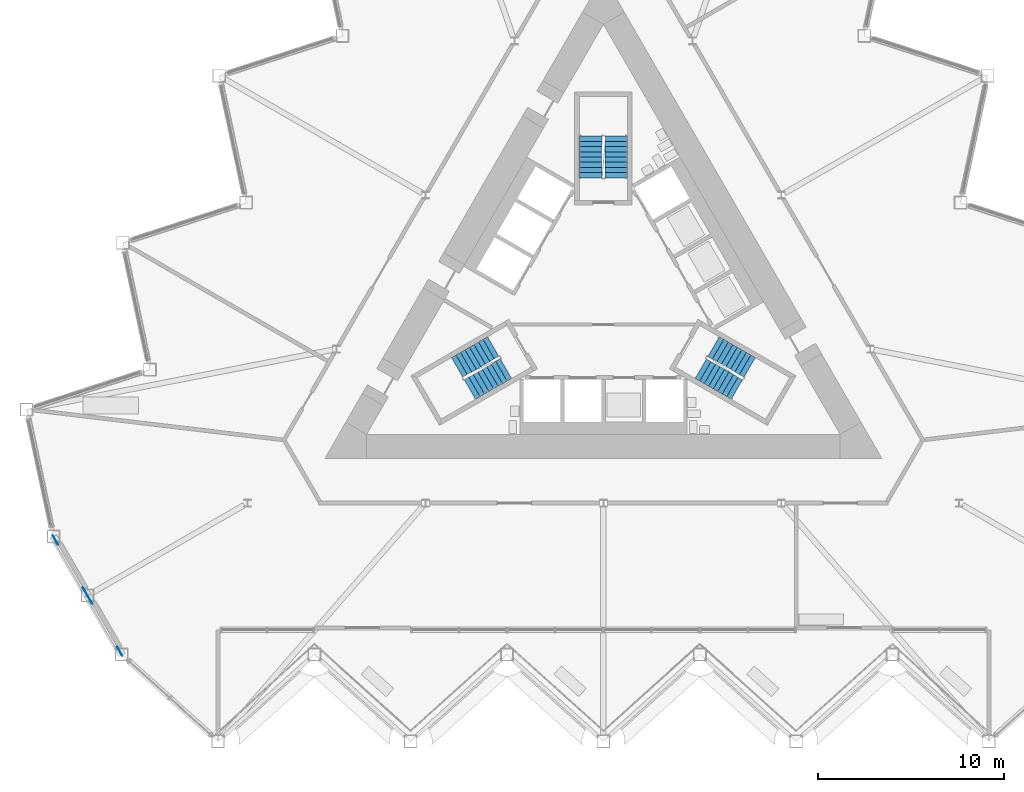
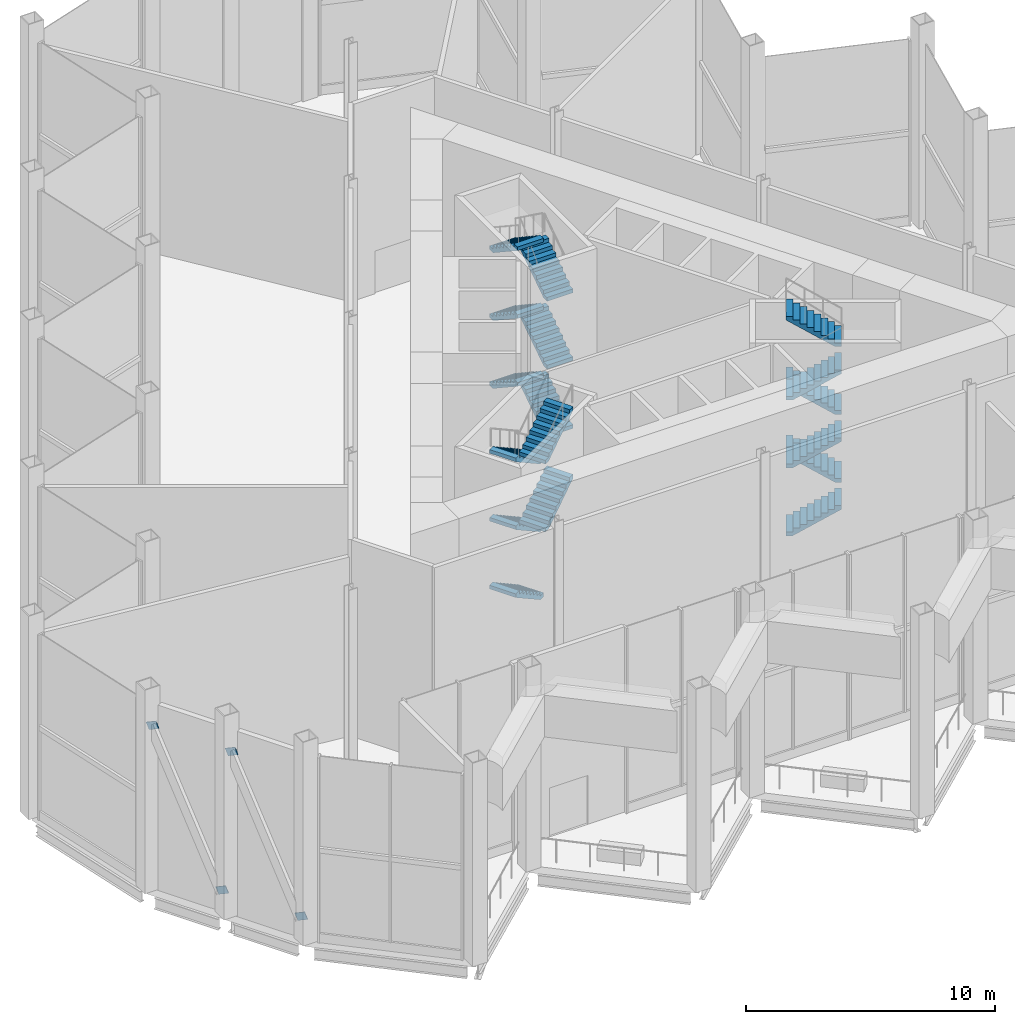
# One storey, part 11 of 17: 17 stair flights, 4 discrete accessories, 3 elements without a shape of their own.
"""IFC4 building model written with IfcOpenShell, lengths in metres."""

from ifc_helpers import new_model, si_unit, direction, frame, origin, origin_2d, place, context, subcontext, project, spatial, polyline, rectangle, outline, extrude, material, material_profile, profile_set, type_object, element, aggregate, save


model = new_model("IFC4")

# Units and contexts
model_context = context("Model", 3, precision=1e-05, world=origin(), true_north=direction((0.0, 1.0)))
body_context = subcontext(model_context, "Body", "Model", "MODEL_VIEW")
ifc_project = project(units=[si_unit("LENGTHUNIT", "METRE"), si_unit("AREAUNIT", "SQUARE_METRE"), si_unit("VOLUMEUNIT", "CUBIC_METRE"), si_unit("PLANEANGLEUNIT", "RADIAN"), si_unit("MASSUNIT", "GRAM", prefix="KILO")], contexts=[model_context])

# Site, building, storey
site_placement = place(None, origin())
site = spatial("IfcSite", under=ifc_project, at=site_placement, CompositionType="ELEMENT")
building_placement = place(site_placement, origin())
building = spatial("IfcBuilding", under=site, at=building_placement, Name="Cormorant Prow Tower", CompositionType="ELEMENT")
storey_placement = place(building_placement, frame((0.0, 0.0, 277.800048828125)))
storey = spatial("IfcBuildingStorey", under=building, at=storey_placement, Name="L63", CompositionType="ELEMENT", Elevation=277.800048828125)

# Stair, stair flights
ifc_material_1 = material(Name="Exit stair 54 risers")
stair_type = type_object("IfcStairType", Name="Exit stair 54 risers", PredefinedType="HALF_TURN_STAIR", material=ifc_material_1)
stair_1_placement = place(storey_placement, origin())
stair_1 = element("IfcStair", 1, at=stair_1_placement, inside=storey, type_object=stair_type, Name="L63 Exit stair ST1", PredefinedType="HALF_TURN_STAIR")
ifc_material_2 = material(Name="Concrete 5000 psi", Category="concrete")
stair_flight_type = type_object("IfcStairFlightType", Name="Stair flight 1219", PredefinedType="STRAIGHT", material=ifc_material_2)
stair_flight_1_placement = place(storey_placement, frame((-5.93310546875, -2.635009765625, 0.0), z_axis=(0.0, 0.0, 1.0), x_axis=(-0.866025403784, -0.5, 0.0)))
stair_flight_1 = element("IfcStairFlight", 2, at=stair_flight_1_placement, type_object=stair_flight_type, Name="ST1 flight 1", NumberOfRisers=9, NumberOfTreads=8, PredefinedType="STRAIGHT", RiserHeight=0.185185185, TreadLength=0.28, context=body_context, shape_type="SweptSolid", body=[
    extrude(outline(polyline([(0.0, 0.0), (0.0, 0.185302734375), (0.280029296875, 0.185302734375), (0.280029296875, 0.370361328125), (0.56005859375, 0.370361328125), (0.56005859375, 0.5556640625), (0.840087890625, 0.5556640625), (0.840087890625, 0.74072265625), (1.1201171875, 0.74072265625), (1.1201171875, 0.926025390625), (1.39990234375, 0.926025390625), (1.39990234375, 1.111083984375), (1.679931640625, 1.111083984375), (1.679931640625, 1.29638671875), (1.9599609375, 1.29638671875), (1.9599609375, 1.4814453125), (2.239990234375, 1.4814453125), (2.239990234375, 1.666748046875), (2.239990234375, 1.3017578125), (0.271728515625, 0.0), (0.0, 0.0)])), frame((0.0, 0.609375, 0.0), z_axis=(0.0, -1.0, 0.0), x_axis=(1.0, 0.0, 0.0)), (0.0, 0.0, 1.0), 1.218994140625),
])
stair_flight_2_placement = place(storey_placement, frame((-5.93310546875, -2.635009765625, 3.333251953125), z_axis=(0.0, 0.0, 1.0), x_axis=(-0.866025403784, -0.5, 0.0)))
stair_flight_2 = element("IfcStairFlight", 3, at=stair_flight_2_placement, type_object=stair_flight_type, Name="ST1 flight 3", NumberOfRisers=9, NumberOfTreads=8, PredefinedType="STRAIGHT", RiserHeight=0.185185185, TreadLength=0.28, context=body_context, shape_type="SweptSolid", body=[
    extrude(outline(polyline([(0.0, 0.0), (0.0, 0.185302734375), (0.280029296875, 0.185302734375), (0.280029296875, 0.370361328125), (0.56005859375, 0.370361328125), (0.56005859375, 0.5556640625), (0.840087890625, 0.5556640625), (0.840087890625, 0.74072265625), (1.1201171875, 0.74072265625), (1.1201171875, 0.926025390625), (1.39990234375, 0.926025390625), (1.39990234375, 1.111083984375), (1.679931640625, 1.111083984375), (1.679931640625, 1.29638671875), (1.9599609375, 1.29638671875), (1.9599609375, 1.4814453125), (2.239990234375, 1.4814453125), (2.239990234375, 1.666748046875), (2.239990234375, 1.3017578125), (0.271728515625, 0.0), (0.0, 0.0)])), frame((0.0, 0.609375, 0.0), z_axis=(0.0, -1.0, 0.0), x_axis=(1.0, 0.0, 0.0)), (0.0, 0.0, 1.0), 1.218994140625),
])
stair_flight_3_placement = place(storey_placement, frame((-7.1884765625, -4.940673828125, 5.0), z_axis=(0.0, 0.0, 1.0), x_axis=(0.866025403784, 0.5, 0.0)))
stair_flight_3 = element("IfcStairFlight", 4, at=stair_flight_3_placement, type_object=stair_flight_type, Name="ST1 flight 4", NumberOfRisers=9, NumberOfTreads=8, PredefinedType="STRAIGHT", RiserHeight=0.185185185, TreadLength=0.28, context=body_context, shape_type="SweptSolid", body=[
    extrude(outline(polyline([(0.0, 0.0), (0.0, 0.185302734375), (0.280029296875, 0.185302734375), (0.280029296875, 0.370361328125), (0.56005859375, 0.370361328125), (0.56005859375, 0.5556640625), (0.840087890625, 0.5556640625), (0.840087890625, 0.74072265625), (1.1201171875, 0.74072265625), (1.1201171875, 0.926025390625), (1.39990234375, 0.926025390625), (1.39990234375, 1.111083984375), (1.679931640625, 1.111083984375), (1.679931640625, 1.29638671875), (1.9599609375, 1.29638671875), (1.9599609375, 1.4814453125), (2.239990234375, 1.4814453125), (2.239990234375, 1.666748046875), (2.239990234375, 1.3017578125), (0.271728515625, 0.0), (0.0, 0.0)])), frame((0.0, 0.609375, 0.0), z_axis=(0.0, -1.0, 0.0), x_axis=(1.0, 0.0, 0.0)), (0.0, 0.0, 1.0), 1.218994140625),
])
stair_flight_4_placement = place(storey_placement, frame((-5.93310546875, -2.635009765625, 6.66650390625), z_axis=(0.0, 0.0, 1.0), x_axis=(-0.866025403784, -0.5, 0.0)))
stair_flight_4 = element("IfcStairFlight", 5, at=stair_flight_4_placement, type_object=stair_flight_type, Name="ST1 flight 5", NumberOfRisers=9, NumberOfTreads=8, PredefinedType="STRAIGHT", RiserHeight=0.185185185, TreadLength=0.28, context=body_context, shape_type="SweptSolid", body=[
    extrude(outline(polyline([(0.0, 0.0), (0.0, 0.185302734375), (0.280029296875, 0.185302734375), (0.280029296875, 0.370361328125), (0.56005859375, 0.370361328125), (0.56005859375, 0.5556640625), (0.840087890625, 0.5556640625), (0.840087890625, 0.74072265625), (1.1201171875, 0.74072265625), (1.1201171875, 0.926025390625), (1.39990234375, 0.926025390625), (1.39990234375, 1.111083984375), (1.679931640625, 1.111083984375), (1.679931640625, 1.29638671875), (1.9599609375, 1.29638671875), (1.9599609375, 1.4814453125), (2.239990234375, 1.4814453125), (2.239990234375, 1.666748046875), (2.239990234375, 1.3017578125), (0.271728515625, 0.0), (0.0, 0.0)])), frame((0.0, 0.609375, 0.0), z_axis=(0.0, -1.0, 0.0), x_axis=(1.0, 0.0, 0.0)), (0.0, 0.0, 1.0), 1.218994140625),
])
stair_flight_5_placement = place(storey_placement, frame((-7.1884765625, -4.940673828125, 8.333251953125), z_axis=(0.0, 0.0, 1.0), x_axis=(0.866025403784, 0.5, 0.0)))
stair_flight_5 = element("IfcStairFlight", 6, at=stair_flight_5_placement, type_object=stair_flight_type, Name="ST1 flight 6", NumberOfRisers=9, NumberOfTreads=8, PredefinedType="STRAIGHT", RiserHeight=0.185185185, TreadLength=0.28, context=body_context, shape_type="SweptSolid", body=[
    extrude(outline(polyline([(0.0, 0.0), (0.0, 0.185302734375), (0.280029296875, 0.185302734375), (0.280029296875, 0.370361328125), (0.56005859375, 0.370361328125), (0.56005859375, 0.5556640625), (0.840087890625, 0.5556640625), (0.840087890625, 0.74072265625), (1.1201171875, 0.74072265625), (1.1201171875, 0.926025390625), (1.39990234375, 0.926025390625), (1.39990234375, 1.111083984375), (1.679931640625, 1.111083984375), (1.679931640625, 1.29638671875), (1.9599609375, 1.29638671875), (1.9599609375, 1.4814453125), (2.239990234375, 1.4814453125), (2.239990234375, 1.666748046875), (2.239990234375, 1.3017578125), (0.271728515625, 0.0), (0.0, 0.0)])), frame((0.0, 0.609375, 0.0), z_axis=(0.0, -1.0, 0.0), x_axis=(1.0, 0.0, 0.0)), (0.0, 0.0, 1.0), 1.218994140625),
])
aggregate(stair_1, [stair_flight_1, stair_flight_2, stair_flight_3, stair_flight_4, stair_flight_5])

stair_2_placement = place(storey_placement, origin())
stair_2 = element("IfcStair", 7, at=stair_2_placement, inside=storey, type_object=stair_type, Name="L63 Exit stair ST2", PredefinedType="HALF_TURN_STAIR")
stair_flight_6_placement = place(storey_placement, frame((5.24853515625, -3.82080078125, 0.0), z_axis=(0.0, 0.0, 1.0), x_axis=(0.866025403784, -0.5, 0.0)))
stair_flight_6 = element("IfcStairFlight", 8, at=stair_flight_6_placement, type_object=stair_flight_type, Name="ST2 flight 1", NumberOfRisers=9, NumberOfTreads=8, PredefinedType="STRAIGHT", RiserHeight=0.185185185, TreadLength=0.28, context=body_context, shape_type="SweptSolid", body=[
    extrude(outline(polyline([(0.0, 0.0), (0.0, 0.185302734375), (0.280029296875, 0.185302734375), (0.280029296875, 0.370361328125), (0.56005859375, 0.370361328125), (0.56005859375, 0.5556640625), (0.840087890625, 0.5556640625), (0.840087890625, 0.74072265625), (1.1201171875, 0.74072265625), (1.1201171875, 0.926025390625), (1.39990234375, 0.926025390625), (1.39990234375, 1.111083984375), (1.679931640625, 1.111083984375), (1.679931640625, 1.29638671875), (1.9599609375, 1.29638671875), (1.9599609375, 1.4814453125), (2.239990234375, 1.4814453125), (2.239990234375, 1.666748046875), (2.239990234375, 1.3017578125), (0.271728515625, 0.0), (0.0, 0.0)])), frame((0.0, 0.609375, 0.0), z_axis=(0.0, -1.0, 0.0), x_axis=(1.0, 0.0, 0.0)), (0.0, 0.0, 1.0), 1.218994140625),
])
stair_flight_7_placement = place(storey_placement, frame((7.873046875, -3.755126953125, 1.66650390625), z_axis=(0.0, 0.0, 1.0), x_axis=(-0.866025403784, 0.5, 0.0)))
stair_flight_7 = element("IfcStairFlight", 9, at=stair_flight_7_placement, type_object=stair_flight_type, Name="ST2 flight 2", NumberOfRisers=9, NumberOfTreads=8, PredefinedType="STRAIGHT", RiserHeight=0.185185185, TreadLength=0.28, context=body_context, shape_type="SweptSolid", body=[
    extrude(outline(polyline([(0.0, 0.0), (0.0, 0.185302734375), (0.280029296875, 0.185302734375), (0.280029296875, 0.370361328125), (0.56005859375, 0.370361328125), (0.56005859375, 0.5556640625), (0.840087890625, 0.5556640625), (0.840087890625, 0.74072265625), (1.1201171875, 0.74072265625), (1.1201171875, 0.926025390625), (1.39990234375, 0.926025390625), (1.39990234375, 1.111083984375), (1.679931640625, 1.111083984375), (1.679931640625, 1.29638671875), (1.9599609375, 1.29638671875), (1.9599609375, 1.4814453125), (2.239990234375, 1.4814453125), (2.239990234375, 1.666748046875), (2.239990234375, 1.3017578125), (0.271728515625, 0.0), (0.0, 0.0)])), frame((0.0, 0.609375, 0.0), z_axis=(0.0, -1.0, 0.0), x_axis=(1.0, 0.0, 0.0)), (0.0, 0.0, 1.0), 1.218994140625),
])
stair_flight_8_placement = place(storey_placement, frame((5.24853515625, -3.82080078125, 3.333251953125), z_axis=(0.0, 0.0, 1.0), x_axis=(0.866025403784, -0.5, 0.0)))
stair_flight_8 = element("IfcStairFlight", 10, at=stair_flight_8_placement, type_object=stair_flight_type, Name="ST2 flight 3", NumberOfRisers=9, NumberOfTreads=8, PredefinedType="STRAIGHT", RiserHeight=0.185185185, TreadLength=0.28, context=body_context, shape_type="SweptSolid", body=[
    extrude(outline(polyline([(0.0, 0.0), (0.0, 0.185302734375), (0.280029296875, 0.185302734375), (0.280029296875, 0.370361328125), (0.56005859375, 0.370361328125), (0.56005859375, 0.5556640625), (0.840087890625, 0.5556640625), (0.840087890625, 0.74072265625), (1.1201171875, 0.74072265625), (1.1201171875, 0.926025390625), (1.39990234375, 0.926025390625), (1.39990234375, 1.111083984375), (1.679931640625, 1.111083984375), (1.679931640625, 1.29638671875), (1.9599609375, 1.29638671875), (1.9599609375, 1.4814453125), (2.239990234375, 1.4814453125), (2.239990234375, 1.666748046875), (2.239990234375, 1.3017578125), (0.271728515625, 0.0), (0.0, 0.0)])), frame((0.0, 0.609375, 0.0), z_axis=(0.0, -1.0, 0.0), x_axis=(1.0, 0.0, 0.0)), (0.0, 0.0, 1.0), 1.218994140625),
])
stair_flight_9_placement = place(storey_placement, frame((7.873046875, -3.755126953125, 5.0), z_axis=(0.0, 0.0, 1.0), x_axis=(-0.866025403784, 0.5, 0.0)))
stair_flight_9 = element("IfcStairFlight", 11, at=stair_flight_9_placement, type_object=stair_flight_type, Name="ST2 flight 4", NumberOfRisers=9, NumberOfTreads=8, PredefinedType="STRAIGHT", RiserHeight=0.185185185, TreadLength=0.28, context=body_context, shape_type="SweptSolid", body=[
    extrude(outline(polyline([(0.0, 0.0), (0.0, 0.185302734375), (0.280029296875, 0.185302734375), (0.280029296875, 0.370361328125), (0.56005859375, 0.370361328125), (0.56005859375, 0.5556640625), (0.840087890625, 0.5556640625), (0.840087890625, 0.74072265625), (1.1201171875, 0.74072265625), (1.1201171875, 0.926025390625), (1.39990234375, 0.926025390625), (1.39990234375, 1.111083984375), (1.679931640625, 1.111083984375), (1.679931640625, 1.29638671875), (1.9599609375, 1.29638671875), (1.9599609375, 1.4814453125), (2.239990234375, 1.4814453125), (2.239990234375, 1.666748046875), (2.239990234375, 1.3017578125), (0.271728515625, 0.0), (0.0, 0.0)])), frame((0.0, 0.609375, 0.0), z_axis=(0.0, -1.0, 0.0), x_axis=(1.0, 0.0, 0.0)), (0.0, 0.0, 1.0), 1.218994140625),
])
stair_flight_10_placement = place(storey_placement, frame((5.24853515625, -3.82080078125, 6.66650390625), z_axis=(0.0, 0.0, 1.0), x_axis=(0.866025403784, -0.5, 0.0)))
stair_flight_10 = element("IfcStairFlight", 12, at=stair_flight_10_placement, type_object=stair_flight_type, Name="ST2 flight 5", NumberOfRisers=9, NumberOfTreads=8, PredefinedType="STRAIGHT", RiserHeight=0.185185185, TreadLength=0.28, context=body_context, shape_type="SweptSolid", body=[
    extrude(outline(polyline([(0.0, 0.0), (0.0, 0.185302734375), (0.280029296875, 0.185302734375), (0.280029296875, 0.370361328125), (0.56005859375, 0.370361328125), (0.56005859375, 0.5556640625), (0.840087890625, 0.5556640625), (0.840087890625, 0.74072265625), (1.1201171875, 0.74072265625), (1.1201171875, 0.926025390625), (1.39990234375, 0.926025390625), (1.39990234375, 1.111083984375), (1.679931640625, 1.111083984375), (1.679931640625, 1.29638671875), (1.9599609375, 1.29638671875), (1.9599609375, 1.4814453125), (2.239990234375, 1.4814453125), (2.239990234375, 1.666748046875), (2.239990234375, 1.3017578125), (0.271728515625, 0.0), (0.0, 0.0)])), frame((0.0, 0.609375, 0.0), z_axis=(0.0, -1.0, 0.0), x_axis=(1.0, 0.0, 0.0)), (0.0, 0.0, 1.0), 1.218994140625),
])
stair_flight_11_placement = place(storey_placement, frame((7.873046875, -3.755126953125, 8.333251953125), z_axis=(0.0, 0.0, 1.0), x_axis=(-0.866025403784, 0.5, 0.0)))
stair_flight_11 = element("IfcStairFlight", 13, at=stair_flight_11_placement, type_object=stair_flight_type, Name="ST2 flight 6", NumberOfRisers=9, NumberOfTreads=8, PredefinedType="STRAIGHT", RiserHeight=0.185185185, TreadLength=0.28, context=body_context, shape_type="SweptSolid", body=[
    extrude(outline(polyline([(0.0, 0.0), (0.0, 0.185302734375), (0.280029296875, 0.185302734375), (0.280029296875, 0.370361328125), (0.56005859375, 0.370361328125), (0.56005859375, 0.5556640625), (0.840087890625, 0.5556640625), (0.840087890625, 0.74072265625), (1.1201171875, 0.74072265625), (1.1201171875, 0.926025390625), (1.39990234375, 0.926025390625), (1.39990234375, 1.111083984375), (1.679931640625, 1.111083984375), (1.679931640625, 1.29638671875), (1.9599609375, 1.29638671875), (1.9599609375, 1.4814453125), (2.239990234375, 1.4814453125), (2.239990234375, 1.666748046875), (2.239990234375, 1.3017578125), (0.271728515625, 0.0), (0.0, 0.0)])), frame((0.0, 0.609375, 0.0), z_axis=(0.0, -1.0, 0.0), x_axis=(1.0, 0.0, 0.0)), (0.0, 0.0, 1.0), 1.218994140625),
])
aggregate(stair_2, [stair_flight_6, stair_flight_7, stair_flight_8, stair_flight_9, stair_flight_10, stair_flight_11])

stair_3_placement = place(storey_placement, origin())
stair_3 = element("IfcStair", 14, at=stair_3_placement, inside=storey, type_object=stair_type, Name="L63 Exit stair ST3", PredefinedType="HALF_TURN_STAIR")
stair_flight_12_placement = place(storey_placement, frame((0.6845703125, 6.455810546875, 0.0), z_axis=(0.0, 0.0, 1.0), x_axis=(0.0, 1.0, 0.0)))
stair_flight_12 = element("IfcStairFlight", 15, at=stair_flight_12_placement, type_object=stair_flight_type, Name="ST3 flight 1", NumberOfRisers=9, NumberOfTreads=8, PredefinedType="STRAIGHT", RiserHeight=0.185185185, TreadLength=0.28, context=body_context, shape_type="SweptSolid", body=[
    extrude(outline(polyline([(0.0, 0.0), (0.0, 0.185302734375), (0.280029296875, 0.185302734375), (0.280029296875, 0.370361328125), (0.56005859375, 0.370361328125), (0.56005859375, 0.5556640625), (0.840087890625, 0.5556640625), (0.840087890625, 0.74072265625), (1.1201171875, 0.74072265625), (1.1201171875, 0.926025390625), (1.39990234375, 0.926025390625), (1.39990234375, 1.111083984375), (1.679931640625, 1.111083984375), (1.679931640625, 1.29638671875), (1.9599609375, 1.29638671875), (1.9599609375, 1.4814453125), (2.239990234375, 1.4814453125), (2.239990234375, 1.666748046875), (2.239990234375, 1.3017578125), (0.271728515625, 0.0), (0.0, 0.0)])), frame((0.0, 0.609375, 0.0), z_axis=(0.0, -1.0, 0.0), x_axis=(1.0, 0.0, 0.0)), (0.0, 0.0, 1.0), 1.218994140625),
])
stair_flight_13_placement = place(storey_placement, frame((-0.6845703125, 8.69580078125, 1.66650390625), z_axis=(0.0, 0.0, 1.0), x_axis=(0.0, -1.0, 0.0)))
stair_flight_13 = element("IfcStairFlight", 16, at=stair_flight_13_placement, type_object=stair_flight_type, Name="ST3 flight 2", NumberOfRisers=9, NumberOfTreads=8, PredefinedType="STRAIGHT", RiserHeight=0.185185185, TreadLength=0.28, context=body_context, shape_type="SweptSolid", body=[
    extrude(outline(polyline([(0.0, 0.0), (0.0, 0.185302734375), (0.280029296875, 0.185302734375), (0.280029296875, 0.370361328125), (0.56005859375, 0.370361328125), (0.56005859375, 0.5556640625), (0.840087890625, 0.5556640625), (0.840087890625, 0.74072265625), (1.1201171875, 0.74072265625), (1.1201171875, 0.926025390625), (1.39990234375, 0.926025390625), (1.39990234375, 1.111083984375), (1.679931640625, 1.111083984375), (1.679931640625, 1.29638671875), (1.9599609375, 1.29638671875), (1.9599609375, 1.4814453125), (2.239990234375, 1.4814453125), (2.239990234375, 1.666748046875), (2.239990234375, 1.3017578125), (0.271728515625, 0.0), (0.0, 0.0)])), frame((0.0, 0.609375, 0.0), z_axis=(0.0, -1.0, 0.0), x_axis=(1.0, 0.0, 0.0)), (0.0, 0.0, 1.0), 1.218994140625),
])
stair_flight_14_placement = place(storey_placement, frame((0.6845703125, 6.455810546875, 3.333251953125), z_axis=(0.0, 0.0, 1.0), x_axis=(0.0, 1.0, 0.0)))
stair_flight_14 = element("IfcStairFlight", 17, at=stair_flight_14_placement, type_object=stair_flight_type, Name="ST3 flight 3", NumberOfRisers=9, NumberOfTreads=8, PredefinedType="STRAIGHT", RiserHeight=0.185185185, TreadLength=0.28, context=body_context, shape_type="SweptSolid", body=[
    extrude(outline(polyline([(0.0, 0.0), (0.0, 0.185302734375), (0.280029296875, 0.185302734375), (0.280029296875, 0.370361328125), (0.56005859375, 0.370361328125), (0.56005859375, 0.5556640625), (0.840087890625, 0.5556640625), (0.840087890625, 0.74072265625), (1.1201171875, 0.74072265625), (1.1201171875, 0.926025390625), (1.39990234375, 0.926025390625), (1.39990234375, 1.111083984375), (1.679931640625, 1.111083984375), (1.679931640625, 1.29638671875), (1.9599609375, 1.29638671875), (1.9599609375, 1.4814453125), (2.239990234375, 1.4814453125), (2.239990234375, 1.666748046875), (2.239990234375, 1.3017578125), (0.271728515625, 0.0), (0.0, 0.0)])), frame((0.0, 0.609375, 0.0), z_axis=(0.0, -1.0, 0.0), x_axis=(1.0, 0.0, 0.0)), (0.0, 0.0, 1.0), 1.218994140625),
])
stair_flight_15_placement = place(storey_placement, frame((-0.6845703125, 8.69580078125, 5.0), z_axis=(0.0, 0.0, 1.0), x_axis=(0.0, -1.0, 0.0)))
stair_flight_15 = element("IfcStairFlight", 18, at=stair_flight_15_placement, type_object=stair_flight_type, Name="ST3 flight 4", NumberOfRisers=9, NumberOfTreads=8, PredefinedType="STRAIGHT", RiserHeight=0.185185185, TreadLength=0.28, context=body_context, shape_type="SweptSolid", body=[
    extrude(outline(polyline([(0.0, 0.0), (0.0, 0.185302734375), (0.280029296875, 0.185302734375), (0.280029296875, 0.370361328125), (0.56005859375, 0.370361328125), (0.56005859375, 0.5556640625), (0.840087890625, 0.5556640625), (0.840087890625, 0.74072265625), (1.1201171875, 0.74072265625), (1.1201171875, 0.926025390625), (1.39990234375, 0.926025390625), (1.39990234375, 1.111083984375), (1.679931640625, 1.111083984375), (1.679931640625, 1.29638671875), (1.9599609375, 1.29638671875), (1.9599609375, 1.4814453125), (2.239990234375, 1.4814453125), (2.239990234375, 1.666748046875), (2.239990234375, 1.3017578125), (0.271728515625, 0.0), (0.0, 0.0)])), frame((0.0, 0.609375, 0.0), z_axis=(0.0, -1.0, 0.0), x_axis=(1.0, 0.0, 0.0)), (0.0, 0.0, 1.0), 1.218994140625),
])
stair_flight_16_placement = place(storey_placement, frame((0.6845703125, 6.455810546875, 6.66650390625), z_axis=(0.0, 0.0, 1.0), x_axis=(0.0, 1.0, 0.0)))
stair_flight_16 = element("IfcStairFlight", 19, at=stair_flight_16_placement, type_object=stair_flight_type, Name="ST3 flight 5", NumberOfRisers=9, NumberOfTreads=8, PredefinedType="STRAIGHT", RiserHeight=0.185185185, TreadLength=0.28, context=body_context, shape_type="SweptSolid", body=[
    extrude(outline(polyline([(0.0, 0.0), (0.0, 0.185302734375), (0.280029296875, 0.185302734375), (0.280029296875, 0.370361328125), (0.56005859375, 0.370361328125), (0.56005859375, 0.5556640625), (0.840087890625, 0.5556640625), (0.840087890625, 0.74072265625), (1.1201171875, 0.74072265625), (1.1201171875, 0.926025390625), (1.39990234375, 0.926025390625), (1.39990234375, 1.111083984375), (1.679931640625, 1.111083984375), (1.679931640625, 1.29638671875), (1.9599609375, 1.29638671875), (1.9599609375, 1.4814453125), (2.239990234375, 1.4814453125), (2.239990234375, 1.666748046875), (2.239990234375, 1.3017578125), (0.271728515625, 0.0), (0.0, 0.0)])), frame((0.0, 0.609375, 0.0), z_axis=(0.0, -1.0, 0.0), x_axis=(1.0, 0.0, 0.0)), (0.0, 0.0, 1.0), 1.218994140625),
])
stair_flight_17_placement = place(storey_placement, frame((-0.6845703125, 8.69580078125, 8.333251953125), z_axis=(0.0, 0.0, 1.0), x_axis=(0.0, -1.0, 0.0)))
stair_flight_17 = element("IfcStairFlight", 20, at=stair_flight_17_placement, type_object=stair_flight_type, Name="ST3 flight 6", NumberOfRisers=9, NumberOfTreads=8, PredefinedType="STRAIGHT", RiserHeight=0.185185185, TreadLength=0.28, context=body_context, shape_type="SweptSolid", body=[
    extrude(outline(polyline([(0.0, 0.0), (0.0, 0.185302734375), (0.280029296875, 0.185302734375), (0.280029296875, 0.370361328125), (0.56005859375, 0.370361328125), (0.56005859375, 0.5556640625), (0.840087890625, 0.5556640625), (0.840087890625, 0.74072265625), (1.1201171875, 0.74072265625), (1.1201171875, 0.926025390625), (1.39990234375, 0.926025390625), (1.39990234375, 1.111083984375), (1.679931640625, 1.111083984375), (1.679931640625, 1.29638671875), (1.9599609375, 1.29638671875), (1.9599609375, 1.4814453125), (2.239990234375, 1.4814453125), (2.239990234375, 1.666748046875), (2.239990234375, 1.3017578125), (0.271728515625, 0.0), (0.0, 0.0)])), frame((0.0, 0.609375, 0.0), z_axis=(0.0, -1.0, 0.0), x_axis=(1.0, 0.0, 0.0)), (0.0, 0.0, 1.0), 1.218994140625),
])
aggregate(stair_3, [stair_flight_12, stair_flight_13, stair_flight_14, stair_flight_15, stair_flight_16, stair_flight_17])

# Discrete accessories
ifc_material_3 = material(Name="Structural steel ASTM A500 Gr C", Category="steel")
ifc_material_profile = material_profile(ifc_material_3, rectangle(XDim=0.031982421875, YDim=0.506103515625, at=origin_2d()), Name="Gusset plate 32x506")
ifc_profile_set = profile_set([ifc_material_profile], Name="Structural steel ASTM A500 Gr C")
discrete_accessory_type = type_object("IfcDiscreteAccessoryType", Name="Gusset plate 32x506", PredefinedType="BRACKET", material=ifc_profile_set)
for number, where, z_axis, x_axis, name in (
    (21, (-27.9228515625, -15.783203125, 1.230224609375), (0.21068287928, -0.364858098886, -0.906913056503), (0.865992557167, 0.500056887695, 0.0), "Gusset plate GP2 L63.WSW00.g0"),
    (22, (-29.46533203125, -13.111572265625, 7.87060546875), (-0.21068287928, 0.364858098886, 0.906913056503), (-0.865992557167, -0.500056887695, 0.0), "Gusset plate GP2 L63.WSW00.g1"),
    (23, (-26.087646484375, -18.9619140625, 1.230224609375), (0.21068287928, -0.364858098886, -0.906913056503), (0.865992557167, 0.500056887695, 0.0), "Gusset plate GP2 L63.WSW01.g0"),
    (24, (-27.6298828125, -16.290283203125, 7.87060546875), (-0.21068287928, 0.364858098886, 0.906913056503), (-0.865992557167, -0.500056887695, 0.0), "Gusset plate GP2 L63.WSW01.g1"),
):
    element("IfcDiscreteAccessory", number, at=place(storey_placement, frame(where, z_axis=z_axis, x_axis=x_axis)), inside=storey, type_object=discrete_accessory_type, Name=name, PredefinedType="BRACKET", context=body_context, shape_type="SweptSolid", body=[
        extrude(rectangle(XDim=0.031982421875, YDim=0.506103515625, at=origin_2d()), origin(), (0.0, 0.0, 1.0), 0.349853515625),
    ])

save(model, "model.ifc")
